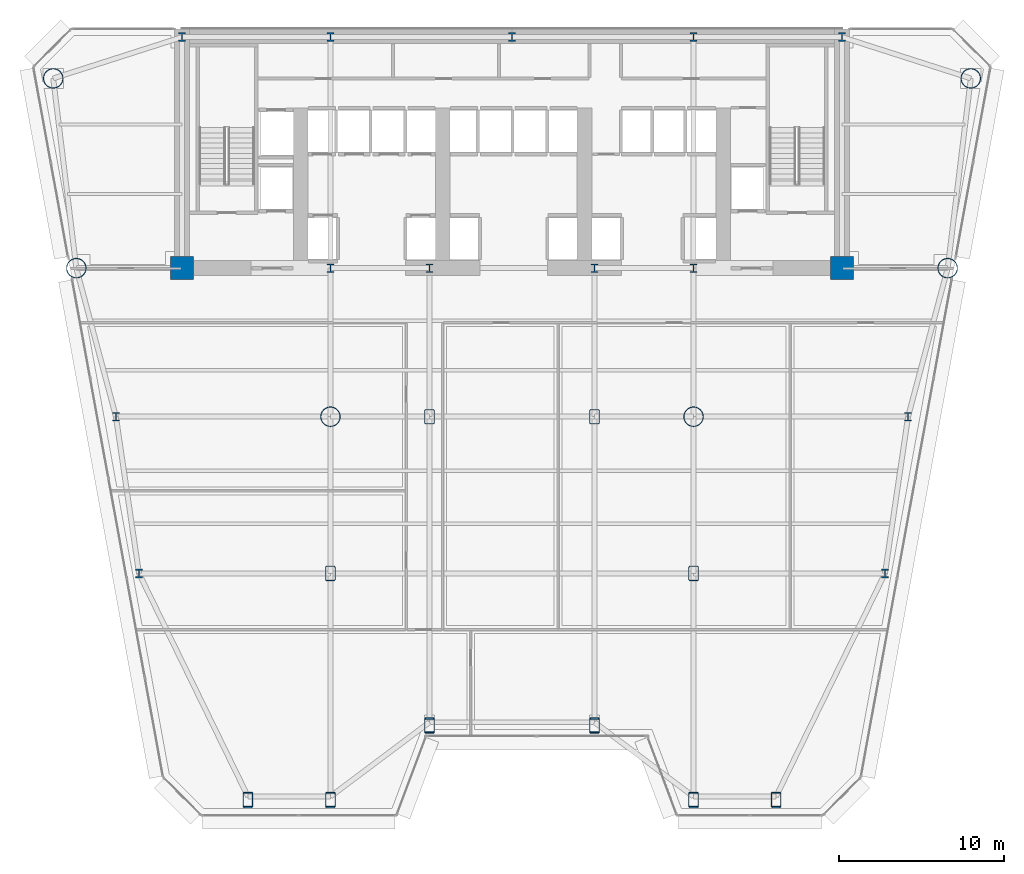
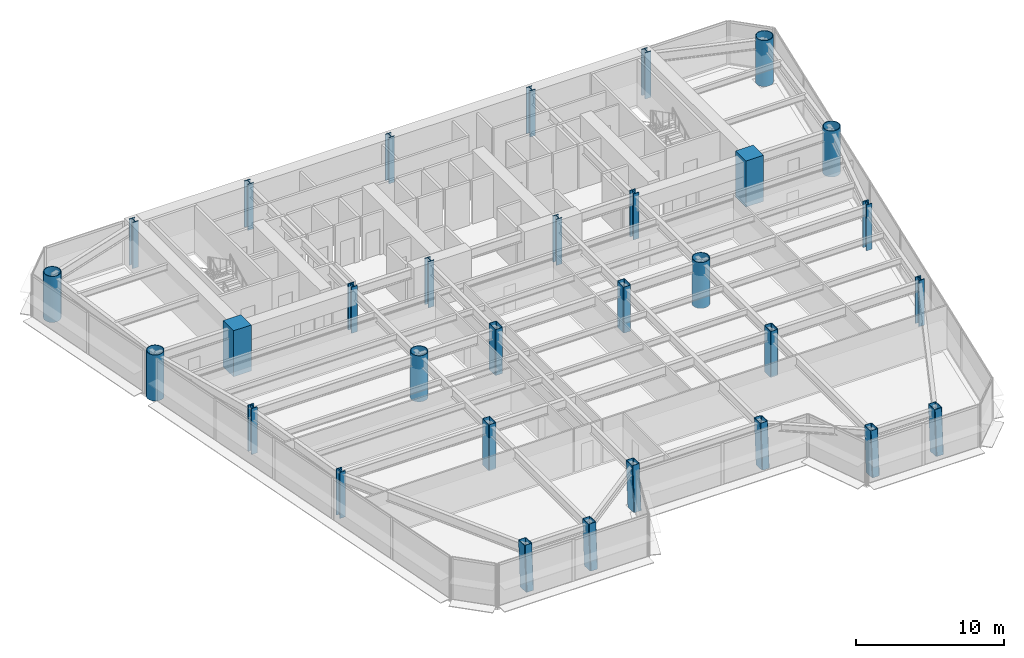
# One storey, part 1 of 14: 31 columns.
"""IFC4 building model written with IfcOpenShell, lengths in metres."""

from ifc_helpers import new_model, si_unit, direction, frame, origin, origin_2d, place, context, subcontext, project, spatial, rectangle, hollow_rectangle, hollow_circle, i_section, extrude, source, transform, mapped, material, material_profile, profile_set, type_object, element, save


model = new_model("IFC4")

# Units and contexts
model_context = context("Model", 3, precision=1e-05, world=origin(), true_north=direction((0.0, 1.0)))
body_context = subcontext(model_context, "Body", "Model", "MODEL_VIEW")
ifc_project = project(units=[si_unit("LENGTHUNIT", "METRE"), si_unit("AREAUNIT", "SQUARE_METRE"), si_unit("VOLUMEUNIT", "CUBIC_METRE"), si_unit("PLANEANGLEUNIT", "RADIAN"), si_unit("MASSUNIT", "GRAM", prefix="KILO")], contexts=[model_context])

# Site, building, storey
site_placement = place(None, origin())
site = spatial("IfcSite", under=ifc_project, at=site_placement, CompositionType="ELEMENT")
building_placement = place(site_placement, origin())
building = spatial("IfcBuilding", under=site, at=building_placement, Name="Vaeldorn Concourse Tower", CompositionType="ELEMENT")
storey_placement = place(building_placement, frame((0.0, 0.0, 72.0)))
storey = spatial("IfcBuildingStorey", under=building, at=storey_placement, Name="L18", CompositionType="ELEMENT", Elevation=72.0)

# Columns
ifc_material_1 = material(Name="Concrete C60/75", Category="concrete")
ifc_material_profile_1 = material_profile(ifc_material_1, rectangle(XDim=1.39990234375, YDim=1.39990234375, at=origin_2d()), Name="RC 1400x1400")
ifc_profile_set_1 = profile_set([ifc_material_profile_1], Name="Concrete C60/75")
column_type_1 = type_object("IfcColumnType", Name="COL-RC1400", PredefinedType="COLUMN", material=ifc_profile_set_1)
shared_shape_1 = source(origin(), body_context, "Body", "SweptSolid", [
    extrude(rectangle(XDim=1.39990234375, YDim=1.39990234375, at=origin_2d()), origin(), (0.0, 0.0, 1.0), 3.800048828125),
])
for number, where, z_axis, x_axis, name in (
    (1, (14.0, 36.5, 0.0), (0.0, 0.0, 1.0), (1.0, 0.0, 0.0), "Column C-FC1 L18"),
    (2, (54.0, 36.5, 0.0), (0.0, 0.0, 1.0), (1.0, 0.0, 0.0), "Column C-FC6 L18"),
):
    element("IfcColumn", number, at=place(storey_placement, frame(where, z_axis=z_axis, x_axis=x_axis)), inside=storey, type_object=column_type_1, Name=name, PredefinedType="COLUMN", context=body_context, shape_type="MappedRepresentation", body=[
        mapped(shared_shape_1, transform((0.0, 0.0, 0.0), scale=1.0)),
    ])
ifc_material_2 = material(Name="Steel S460", Category="steel")
ifc_material_profile_2 = material_profile(ifc_material_2, i_section(OverallWidth=0.44189453125, OverallDepth=0.531005859375, WebThickness=0.06494140625, FlangeThickness=0.075927734375, FilletRadius=0.014892578125, at=origin_2d()), Name="HD 400x900")
ifc_profile_set_2 = profile_set([ifc_material_profile_2], Name="Steel S460")
column_type_2 = type_object("IfcColumnType", Name="COL-HD900", PredefinedType="COLUMN", material=ifc_profile_set_2)
shared_shape_2 = source(origin(), body_context, "Body", "SweptSolid", [
    extrude(i_section(OverallWidth=0.44189453125, OverallDepth=0.531005859375, WebThickness=0.06494140625, FlangeThickness=0.075927734375, FilletRadius=0.014892578125, at=origin_2d()), origin(), (0.0, 0.0, 1.0), 3.800048828125),
])
for number, where, z_axis, x_axis, name in (
    (3, (23.0, 36.5, 0.0), (0.0, 0.0, 1.0), (1.0, 0.0, 0.0), "Column C-FC2 L18"),
    (4, (29.0, 36.5, 0.0), (0.0, 0.0, 1.0), (1.0, 0.0, 0.0), "Column C-FC3 L18"),
    (5, (39.0, 36.5, 0.0), (0.0, 0.0, 1.0), (1.0, 0.0, 0.0), "Column C-FC4 L18"),
    (6, (45.0, 36.5, 0.0), (0.0, 0.0, 1.0), (1.0, 0.0, 0.0), "Column C-FC5 L18"),
    (7, (14.0, 50.5, 0.0), (0.0, 0.0, 1.0), (1.0, 0.0, 0.0), "Column C-HC1 L18"),
    (8, (23.0, 50.5, 0.0), (0.0, 0.0, 1.0), (1.0, 0.0, 0.0), "Column C-HC2 L18"),
    (9, (34.0, 50.5, 0.0), (0.0, 0.0, 1.0), (1.0, 0.0, 0.0), "Column C-HC3 L18"),
    (10, (45.0, 50.5, 0.0), (0.0, 0.0, 1.0), (1.0, 0.0, 0.0), "Column C-HC4 L18"),
    (11, (54.0, 50.5, 0.0), (0.0, 0.0, 1.0), (1.0, 0.0, 0.0), "Column C-HC5 L18"),
):
    element("IfcColumn", number, at=place(storey_placement, frame(where, z_axis=z_axis, x_axis=x_axis)), inside=storey, type_object=column_type_2, Name=name, PredefinedType="COLUMN", context=body_context, shape_type="MappedRepresentation", body=[
        mapped(shared_shape_2, transform((0.0, 0.0, 0.0), scale=1.0)),
    ])
ifc_material_profile_3 = material_profile(ifc_material_2, hollow_circle(Radius=0.609619140625, WallThickness=0.050048828125, at=origin_2d()), Name="CHS 1219x50")
ifc_profile_set_3 = profile_set([ifc_material_profile_3], Name="Steel S460")
column_type_3 = type_object("IfcColumnType", Name="COL-CHS1219", PredefinedType="COLUMN", material=ifc_profile_set_3)
shared_shape_3 = source(origin(), body_context, "Body", "SweptSolid", [
    extrude(hollow_circle(Radius=0.609619140625, WallThickness=0.050048828125, at=origin_2d()), origin(), (0.0, 0.0, 1.0), 3.800048828125),
])
for number, where, z_axis, x_axis, name in (
    (12, (6.199951171875, 48.0, 0.0), (0.0, 0.0, 1.0), (1.0, 0.0, 0.0), "Column C-NW1 L18"),
    (13, (7.60009765625, 36.5, 0.0), (0.0, 0.0, 1.0), (1.0, 0.0, 0.0), "Column C-NW2 L18"),
    (14, (61.800048828125, 48.0, 0.0), (0.0, 0.0, 1.0), (1.0, 0.0, 0.0), "Column C-NE1 L18"),
    (15, (60.39990234375, 36.5, 0.0), (0.0, 0.0, 1.0), (1.0, 0.0, 0.0), "Column C-NE2 L18"),
    (16, (23.0, 27.5, 0.0), (0.0, 0.0, 1.0), (1.0, 0.0, 0.0), "Column C-TW1 L18"),
    (17, (45.0, 27.5, 0.0), (0.0, 0.0, 1.0), (1.0, 0.0, 0.0), "Column C-TW4 L18"),
):
    element("IfcColumn", number, at=place(storey_placement, frame(where, z_axis=z_axis, x_axis=x_axis)), inside=storey, type_object=column_type_3, Name=name, PredefinedType="COLUMN", context=body_context, shape_type="MappedRepresentation", body=[
        mapped(shared_shape_3, transform((0.0, 0.0, 0.0), scale=1.0)),
    ])
ifc_material_profile_4 = material_profile(ifc_material_2, i_section(OverallWidth=0.44189453125, OverallDepth=0.531005859375, WebThickness=0.06494140625, FlangeThickness=0.075927734375, FilletRadius=0.014892578125, at=origin_2d()), Name="HD 400x900")
ifc_profile_set_4 = profile_set([ifc_material_profile_4], Name="Steel S460")
column_type_4 = type_object("IfcColumnType", Name="COL-HD900F", PredefinedType="COLUMN", material=ifc_profile_set_4)
shared_shape_4 = source(origin(), body_context, "Body", "SweptSolid", [
    extrude(i_section(OverallWidth=0.44189453125, OverallDepth=0.531005859375, WebThickness=0.06494140625, FlangeThickness=0.075927734375, FilletRadius=0.014892578125, at=origin_2d()), origin(), (0.0, 0.0, 1.0), 3.800048828125),
])
for number, where, z_axis, x_axis, name in (
    (18, (10.0, 27.5, 0.0), (0.0, 0.0, 1.0), (1.0, 0.0, 0.0), "Column C-FLW1 L18"),
    (19, (11.39990234375, 18.0, 0.0), (0.0, 0.0, 1.0), (1.0, 0.0, 0.0), "Column C-FLW2 L18"),
    (20, (58.0, 27.5, 0.0), (0.0, 0.0, 1.0), (1.0, 0.0, 0.0), "Column C-FLE1 L18"),
    (21, (56.60009765625, 18.0, 0.0), (0.0, 0.0, 1.0), (1.0, 0.0, 0.0), "Column C-FLE2 L18"),
):
    element("IfcColumn", number, at=place(storey_placement, frame(where, z_axis=z_axis, x_axis=x_axis)), inside=storey, type_object=column_type_4, Name=name, PredefinedType="COLUMN", context=body_context, shape_type="MappedRepresentation", body=[
        mapped(shared_shape_4, transform((0.0, 0.0, 0.0), scale=1.0)),
    ])
ifc_material_profile_5 = material_profile(ifc_material_2, hollow_rectangle(XDim=0.60009765625, YDim=0.89990234375, WallThickness=0.0400390625, InnerFilletRadius=0.0400390625, OuterFilletRadius=0.080078125, at=origin_2d()), Name="RHS 900x600x40")
ifc_profile_set_5 = profile_set([ifc_material_profile_5], Name="Steel S460")
column_type_5 = type_object("IfcColumnType", Name="COL-RHS900", PredefinedType="COLUMN", material=ifc_profile_set_5)
shared_shape_5 = source(origin(), body_context, "Body", "SweptSolid", [
    extrude(hollow_rectangle(XDim=0.60009765625, YDim=0.89990234375, WallThickness=0.0400390625, InnerFilletRadius=0.0400390625, OuterFilletRadius=0.080078125, at=origin_2d()), origin(), (0.0, 0.0, 1.0), 3.800048828125),
])
for number, where, z_axis, x_axis, name in (
    (22, (29.0, 27.5, 0.0), (0.0, 0.0, 1.0), (1.0, 0.0, 0.0), "Column C-TW2 L18"),
    (23, (39.0, 27.5, 0.0), (0.0, 0.0, 1.0), (1.0, 0.0, 0.0), "Column C-TW3 L18"),
    (24, (23.0, 18.0, 0.0), (0.0, 0.0, 1.0), (1.0, 0.0, 0.0), "Column C-TW5 L18"),
    (25, (45.0, 18.0, 0.0), (0.0, 0.0, 1.0), (1.0, 0.0, 0.0), "Column C-TW6 L18"),
):
    element("IfcColumn", number, at=place(storey_placement, frame(where, z_axis=z_axis, x_axis=x_axis)), inside=storey, type_object=column_type_5, Name=name, PredefinedType="COLUMN", context=body_context, shape_type="MappedRepresentation", body=[
        mapped(shared_shape_5, transform((0.0, 0.0, 0.0), scale=1.0)),
    ])
shared_shape_6 = source(origin(), body_context, "Body", "SweptSolid", [
    extrude(hollow_rectangle(XDim=0.60009765625, YDim=0.89990234375, WallThickness=0.0400390625, InnerFilletRadius=0.0400390625, OuterFilletRadius=0.080078125, at=origin_2d()), origin(), (0.0, 0.0, 1.0), 3.74365234375),
])
for number, where, z_axis, x_axis, name in (
    (26, (18.0, 4.2470703125, 0.031982421875), (0.0, 0.063843869911, 0.997959899132), (-1.0, 0.0, 0.0), "Column C-SF1 L18"),
    (27, (23.0, 4.2470703125, 0.031982421875), (0.0, 0.063843869911, 0.997959899132), (-1.0, 0.0, 0.0), "Column C-SF2 L18"),
    (28, (29.0, 8.7470703125, 0.031982421875), (0.0, 0.063843869911, 0.997959899132), (-1.0, 0.0, 0.0), "Column C-SF3 L18"),
    (29, (39.0, 8.7470703125, 0.031982421875), (0.0, 0.063843869911, 0.997959899132), (-1.0, 0.0, 0.0), "Column C-SF4 L18"),
    (30, (45.0, 4.2470703125, 0.031982421875), (0.0, 0.063843869911, 0.997959899132), (-1.0, 0.0, 0.0), "Column C-SF5 L18"),
    (31, (50.0, 4.2470703125, 0.031982421875), (0.0, 0.063843869911, 0.997959899132), (-1.0, 0.0, 0.0), "Column C-SF6 L18"),
):
    element("IfcColumn", number, at=place(storey_placement, frame(where, z_axis=z_axis, x_axis=x_axis)), inside=storey, type_object=column_type_5, Name=name, PredefinedType="COLUMN", context=body_context, shape_type="MappedRepresentation", body=[
        mapped(shared_shape_6, transform((0.0, 0.0, 0.0), scale=1.0)),
    ])

save(model, "model.ifc")
